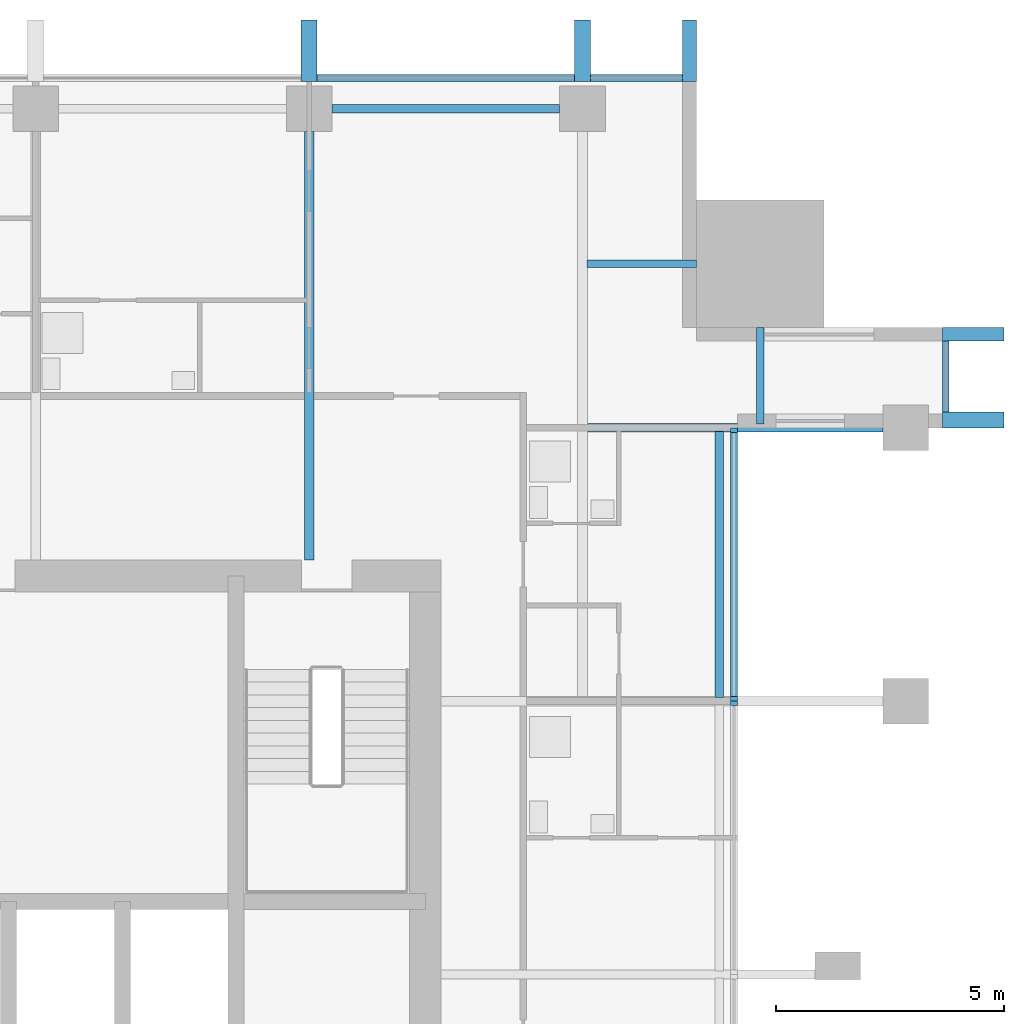
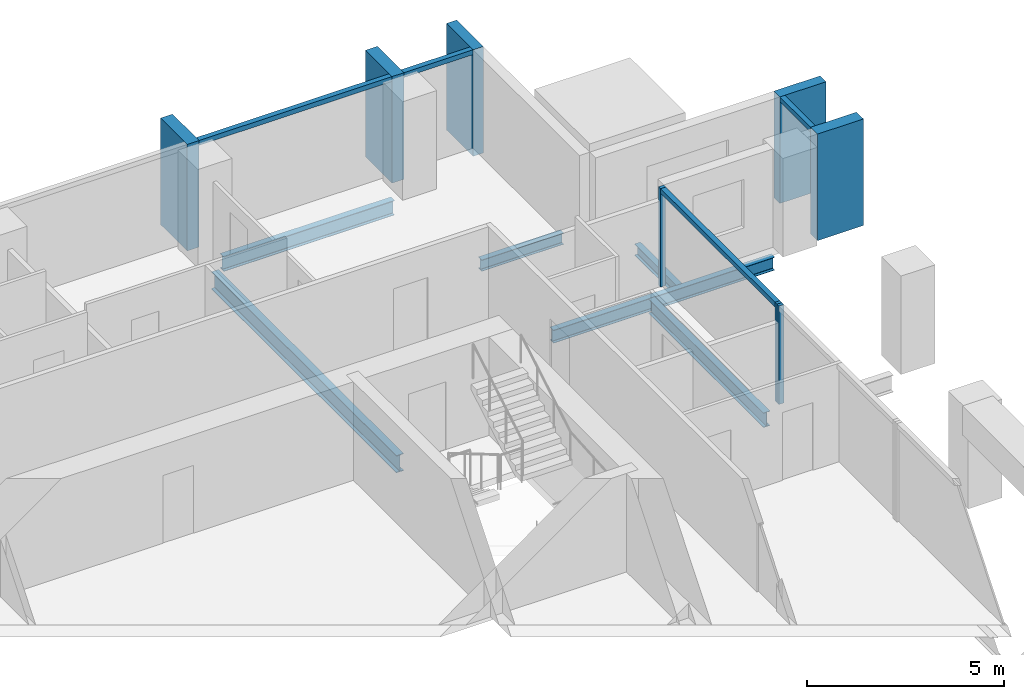
# One storey, part 6 of 14: 12 members, 6 beams, 4 elements without a shape of their own.
"""IFC4 building model written with IfcOpenShell, lengths in metres."""

from ifc_helpers import new_model, si_unit, direction, frame, origin, origin_2d, place, context, subcontext, project, spatial, rectangle, i_section, extrude, material, material_profile, profile_set, type_object, element, aggregate, save


model = new_model("IFC4")

# Units and contexts
model_context = context("Model", 3, precision=1e-05, world=origin(), true_north=direction((0.0, 1.0)))
body_context = subcontext(model_context, "Body", "Model", "MODEL_VIEW")
ifc_project = project(units=[si_unit("LENGTHUNIT", "METRE"), si_unit("AREAUNIT", "SQUARE_METRE"), si_unit("VOLUMEUNIT", "CUBIC_METRE"), si_unit("PLANEANGLEUNIT", "RADIAN"), si_unit("MASSUNIT", "GRAM", prefix="KILO")], contexts=[model_context])

# Site, building, storey
site_placement = place(None, origin())
site = spatial("IfcSite", under=ifc_project, at=site_placement, CompositionType="ELEMENT")
building_placement = place(site_placement, origin())
building = spatial("IfcBuilding", under=site, at=building_placement, Name="Amberfall Residences", CompositionType="ELEMENT")
storey_placement = place(building_placement, frame((0.0, 0.0, 168.10009765625)))
storey = spatial("IfcBuildingStorey", under=building, at=storey_placement, Name="L45", CompositionType="ELEMENT", Elevation=168.10009765625)

# Curtain wall, member
ifc_material_1 = material(Name="Bronze anodised aluminium and glass", Category="aluminium")
curtain_wall_type_1 = type_object("IfcCurtainWallType", Name="Curtain wall CW1 tower unit", PredefinedType="USERDEFINED", material=ifc_material_1)
curtain_wall_1_placement = place(storey_placement, origin())
curtain_wall_1 = element("IfcCurtainWall", 1, at=curtain_wall_1_placement, inside=storey, type_object=curtain_wall_type_1, Name="Curtain wall L45 E E9", ObjectType="UNITISED CURTAIN WALL", PredefinedType="USERDEFINED")
ifc_material_2 = material(Name="Bronze anodised aluminium", Category="aluminium")
ifc_material_profile_1 = material_profile(ifc_material_2, rectangle(XDim=0.14990234375, YDim=0.14990234375, at=origin_2d()), Name="CW1 transom 150 x 150 bronze")
ifc_profile_set_1 = profile_set([ifc_material_profile_1], Name="Bronze anodised aluminium")
member_type_1 = type_object("IfcMemberType", Name="CW1 transom 150 x 150 bronze", PredefinedType="USERDEFINED", material=ifc_profile_set_1)
member_1_placement = place(storey_placement, frame((97.574951171875, 60.75, 2.974853515625), z_axis=(0.0, 1.0, 0.0), x_axis=(-1.0, 0.0, 0.0)))
member_1 = element("IfcMember", 2, at=member_1_placement, type_object=member_type_1, Name="CW1 transom 1.1", ObjectType="TRANSOM", PredefinedType="USERDEFINED", context=body_context, shape_type="SweptSolid", body=[
    extrude(rectangle(XDim=0.14990234375, YDim=0.14990234375, at=origin_2d()), origin(), (0.0, 0.0, 1.0), 1.550048828125),
])

# Curtain wall, members
curtain_wall_2_placement = place(storey_placement, origin())
curtain_wall_2 = element("IfcCurtainWall", 3, at=curtain_wall_2_placement, inside=storey, type_object=curtain_wall_type_1, Name="Curtain wall L45 N N1", ObjectType="UNITISED CURTAIN WALL", PredefinedType="USERDEFINED")
member_2_placement = place(storey_placement, frame((91.800048828125, 68.074951171875, 2.974853515625), z_axis=(-1.0, 0.0, 0.0), x_axis=(0.0, -1.0, 0.0)))
member_2 = element("IfcMember", 4, at=member_2_placement, type_object=member_type_1, Name="CW1 transom 1.1", ObjectType="TRANSOM", PredefinedType="USERDEFINED", context=body_context, shape_type="SweptSolid", body=[
    extrude(rectangle(XDim=0.14990234375, YDim=0.14990234375, at=origin_2d()), origin(), (0.0, 0.0, 1.0), 2.025146484375),
])
member_3_placement = place(storey_placement, frame((89.425048828125, 68.074951171875, 2.974853515625), z_axis=(-1.0, 0.0, 0.0), x_axis=(0.0, -1.0, 0.0)))
member_3 = element("IfcMember", 5, at=member_3_placement, type_object=member_type_1, Name="CW1 transom 2.1", ObjectType="TRANSOM", PredefinedType="USERDEFINED", context=body_context, shape_type="SweptSolid", body=[
    extrude(rectangle(XDim=0.14990234375, YDim=0.14990234375, at=origin_2d()), origin(), (0.0, 0.0, 1.0), 5.650146484375),
])

# Curtain wall, member
curtain_wall_type_2 = type_object("IfcCurtainWallType", Name="Curtain wall CW3 sky garden glazing", PredefinedType="USERDEFINED", material=ifc_material_1)
curtain_wall_3_placement = place(storey_placement, origin())
curtain_wall_3 = element("IfcCurtainWall", 6, at=curtain_wall_3_placement, inside=storey, type_object=curtain_wall_type_2, Name="Curtain wall L45 E E6", ObjectType="UNITISED CURTAIN WALL", PredefinedType="USERDEFINED")
ifc_material_profile_2 = material_profile(ifc_material_2, rectangle(XDim=0.14990234375, YDim=0.10009765625, at=origin_2d()), Name="CW3 mullion 100 x 150 bronze")
ifc_profile_set_2 = profile_set([ifc_material_profile_2], Name="Bronze anodised aluminium")
member_type_2 = type_object("IfcMemberType", Name="CW3 mullion 100 x 150 bronze", PredefinedType="MULLION", material=ifc_profile_set_2)
member_4_placement = place(storey_placement, frame((92.925048828125, 54.35009765625, 0.0), z_axis=(0.0, 0.0, 1.0), x_axis=(-1.0, 0.0, 0.0)))
member_4 = element("IfcMember", 7, at=member_4_placement, type_object=member_type_2, Name="CW3 mullion 2", PredefinedType="MULLION", context=body_context, shape_type="SweptSolid", body=[
    extrude(rectangle(XDim=0.14990234375, YDim=0.10009765625, at=origin_2d()), origin(), (0.0, 0.0, 1.0), 3.0498046875),
])
aggregate(curtain_wall_3, [member_4])

# Curtain wall, members
curtain_wall_4_placement = place(storey_placement, origin())
curtain_wall_4 = element("IfcCurtainWall", 8, at=curtain_wall_4_placement, inside=storey, type_object=curtain_wall_type_2, Name="Curtain wall L45 E E7", ObjectType="UNITISED CURTAIN WALL", PredefinedType="USERDEFINED")
member_5_placement = place(storey_placement, frame((92.925048828125, 54.449951171875, 0.0), z_axis=(0.0, 0.0, 1.0), x_axis=(-1.0, 0.0, 0.0)))
member_5 = element("IfcMember", 9, at=member_5_placement, type_object=member_type_2, Name="CW3 mullion 1", PredefinedType="MULLION", context=body_context, shape_type="SweptSolid", body=[
    extrude(rectangle(XDim=0.14990234375, YDim=0.10009765625, at=origin_2d()), origin(), (0.0, 0.0, 1.0), 3.0498046875),
])
member_6_placement = place(storey_placement, frame((92.925048828125, 60.35009765625, 0.0), z_axis=(0.0, 0.0, 1.0), x_axis=(-1.0, 0.0, 0.0)))
member_6 = element("IfcMember", 10, at=member_6_placement, type_object=member_type_2, Name="CW3 mullion 2", PredefinedType="MULLION", context=body_context, shape_type="SweptSolid", body=[
    extrude(rectangle(XDim=0.14990234375, YDim=0.10009765625, at=origin_2d()), origin(), (0.0, 0.0, 1.0), 3.0498046875),
])
ifc_material_profile_3 = material_profile(ifc_material_2, rectangle(XDim=0.14990234375, YDim=0.14990234375, at=origin_2d()), Name="CW3 transom 150 x 150 bronze")
ifc_profile_set_3 = profile_set([ifc_material_profile_3], Name="Bronze anodised aluminium")
member_type_3 = type_object("IfcMemberType", Name="CW3 transom 150 x 150 bronze", PredefinedType="USERDEFINED", material=ifc_profile_set_3)
member_7_placement = place(storey_placement, frame((92.925048828125, 54.5, 2.974853515625), z_axis=(0.0, 1.0, 0.0), x_axis=(-1.0, 0.0, 0.0)))
member_7 = element("IfcMember", 11, at=member_7_placement, type_object=member_type_3, Name="CW3 transom 1.1", ObjectType="TRANSOM", PredefinedType="USERDEFINED", context=body_context, shape_type="SweptSolid", body=[
    extrude(rectangle(XDim=0.14990234375, YDim=0.14990234375, at=origin_2d()), origin(), (0.0, 0.0, 1.0), 5.800048828125),
])
aggregate(curtain_wall_4, [member_5, member_6, member_7])

# Member
ifc_material_profile_4 = material_profile(ifc_material_2, rectangle(XDim=1.35009765625, YDim=0.300048828125, at=origin_2d()), Name="Corner fin 300 x 1350 bronze")
ifc_profile_set_4 = profile_set([ifc_material_profile_4], Name="Bronze anodised aluminium")
member_type_4 = type_object("IfcMemberType", Name="Corner fin 300 x 1350 bronze", PredefinedType="MULLION", material=ifc_profile_set_4)
member_8_placement = place(storey_placement, frame((98.175048828125, 62.449951171875, -0.25), z_axis=(0.0, 0.0, 1.0), x_axis=(-1.0, 0.0, 0.0)))
member_8 = element("IfcMember", 12, at=member_8_placement, type_object=member_type_4, Name="CW FIN 2", PredefinedType="MULLION", context=body_context, shape_type="SweptSolid", body=[
    extrude(rectangle(XDim=1.35009765625, YDim=0.300048828125, at=origin_2d()), origin(), (0.0, 0.0, 1.0), 3.2998046875),
])

member_9_placement = place(storey_placement, frame((91.949951171875, 68.675048828125, -0.25), z_axis=(0.0, 0.0, 1.0), x_axis=(0.0, -1.0, 0.0)))
member_9 = element("IfcMember", 13, at=member_9_placement, type_object=member_type_4, Name="CW FIN 1", PredefinedType="MULLION", context=body_context, shape_type="SweptSolid", body=[
    extrude(rectangle(XDim=1.35009765625, YDim=0.300048828125, at=origin_2d()), origin(), (0.0, 0.0, 1.0), 3.2998046875),
])

# Beams
ifc_material_3 = material(Name="Steel S355", Category="steel")
ifc_material_profile_5 = material_profile(ifc_material_3, i_section(OverallWidth=0.18994140625, OverallDepth=0.453369140625, WebThickness=0.008544921875, FlangeThickness=0.0126953125, FilletRadius=0.01025390625, at=origin_2d()), Name="UB 457x191x67")
ifc_profile_set_5 = profile_set([ifc_material_profile_5], Name="Steel S355")
beam_type_1 = type_object("IfcBeamType", Name="Edge beam UB 457x191x67", PredefinedType="SPANDREL", material=ifc_profile_set_5)
beam_1_placement = place(storey_placement, frame((92.60009765625, 54.47998046875, -0.476806640625), z_axis=(0.0, 1.0, 0.0), x_axis=(-1.0, 0.0, 0.0)))
element("IfcBeam", 14, at=beam_1_placement, inside=storey, type_object=beam_type_1, Name="Edge beam B1 L45 16", PredefinedType="SPANDREL", context=body_context, shape_type="SweptSolid", body=[
    extrude(i_section(OverallWidth=0.18994140625, OverallDepth=0.453369140625, WebThickness=0.008544921875, FlangeThickness=0.0126953125, FilletRadius=0.01025390625, at=origin_2d()), origin(), (0.0, 0.0, 1.0), 5.840087890625),
])
beam_2_placement = place(storey_placement, frame((84.10009765625, 67.39990234375, -0.476806640625), z_axis=(1.0, 0.0, 0.0), x_axis=(0.0, 1.0, 0.0)))
element("IfcBeam", 15, at=beam_2_placement, inside=storey, type_object=beam_type_1, Name="Edge beam B1 L45 27", PredefinedType="SPANDREL", context=body_context, shape_type="SweptSolid", body=[
    extrude(i_section(OverallWidth=0.18994140625, OverallDepth=0.453369140625, WebThickness=0.008544921875, FlangeThickness=0.0126953125, FilletRadius=0.01025390625, at=origin_2d()), origin(), (0.0, 0.0, 1.0), 5.0),
])

# Member
ifc_material_profile_6 = material_profile(ifc_material_2, rectangle(XDim=1.35009765625, YDim=0.35009765625, at=origin_2d()), Name="Fin 350 x 1350 bronze")
ifc_profile_set_6 = profile_set([ifc_material_profile_6], Name="Bronze anodised aluminium")
member_type_5 = type_object("IfcMemberType", Name="Fin 350 x 1350 bronze", PredefinedType="MULLION", material=ifc_profile_set_6)
member_10_placement = place(storey_placement, frame((98.175048828125, 60.574951171875, -0.25), z_axis=(0.0, 0.0, 1.0), x_axis=(-1.0, 0.0, 0.0)))
member_10 = element("IfcMember", 16, at=member_10_placement, type_object=member_type_5, Name="CW FIN 1", PredefinedType="MULLION", context=body_context, shape_type="SweptSolid", body=[
    extrude(rectangle(XDim=1.35009765625, YDim=0.35009765625, at=origin_2d()), origin(), (0.0, 0.0, 1.0), 3.2998046875),
])

aggregate(curtain_wall_1, [member_10, member_8, member_1])

member_11_placement = place(storey_placement, frame((89.60009765625, 68.675048828125, -0.25), z_axis=(0.0, 0.0, 1.0), x_axis=(0.0, -1.0, 0.0)))
member_11 = element("IfcMember", 17, at=member_11_placement, type_object=member_type_5, Name="CW FIN 2", PredefinedType="MULLION", context=body_context, shape_type="SweptSolid", body=[
    extrude(rectangle(XDim=1.35009765625, YDim=0.35009765625, at=origin_2d()), origin(), (0.0, 0.0, 1.0), 3.2998046875),
])

member_12_placement = place(storey_placement, frame((83.60009765625, 68.675048828125, -0.25), z_axis=(0.0, 0.0, 1.0), x_axis=(0.0, -1.0, 0.0)))
member_12 = element("IfcMember", 18, at=member_12_placement, type_object=member_type_5, Name="CW FIN 3", PredefinedType="MULLION", context=body_context, shape_type="SweptSolid", body=[
    extrude(rectangle(XDim=1.35009765625, YDim=0.35009765625, at=origin_2d()), origin(), (0.0, 0.0, 1.0), 3.2998046875),
])

aggregate(curtain_wall_2, [member_9, member_11, member_12, member_2, member_3])

# Beams
ifc_material_profile_7 = material_profile(ifc_material_3, i_section(OverallWidth=0.177734375, OverallDepth=0.402587890625, WebThickness=0.0078125, FlangeThickness=0.010986328125, FilletRadius=0.01025390625, at=origin_2d()), Name="UB 406x178x54")
ifc_profile_set_7 = profile_set([ifc_material_profile_7], Name="Steel S355")
beam_type_2 = type_object("IfcBeamType", Name="Floor girder UB 406x178x54", PredefinedType="BEAM", material=ifc_profile_set_7)
beam_3_placement = place(storey_placement, frame((96.199951171875, 60.39990234375, -0.451416015625), z_axis=(-1.0, 0.0, 0.0), x_axis=(0.0, -1.0, 0.0)))
element("IfcBeam", 19, at=beam_3_placement, inside=storey, type_object=beam_type_2, Name="Floor girder B4 L45 22", PredefinedType="BEAM", context=body_context, shape_type="SweptSolid", body=[
    extrude(i_section(OverallWidth=0.177734375, OverallDepth=0.402587890625, WebThickness=0.0078125, FlangeThickness=0.010986328125, FilletRadius=0.01025390625, at=origin_2d()), origin(), (0.0, 0.0, 1.0), 6.47998046875),
])
ifc_material_profile_8 = material_profile(ifc_material_3, i_section(OverallWidth=0.209228515625, OverallDepth=0.533203125, WebThickness=0.010009765625, FlangeThickness=0.015625, FilletRadius=0.0126953125, at=origin_2d()), Name="UB 533x210x92")
ifc_profile_set_8 = profile_set([ifc_material_profile_8], Name="Steel S355")
beam_type_3 = type_object("IfcBeamType", Name="Floor girder UB 533x210x92", PredefinedType="BEAM", material=ifc_profile_set_8)
beam_4_placement = place(storey_placement, frame((83.60009765625, 66.89990234375, -0.5166015625), z_axis=(0.0, -1.0, 0.0), x_axis=(1.0, 0.0, 0.0)))
element("IfcBeam", 20, at=beam_4_placement, inside=storey, type_object=beam_type_3, Name="Floor girder B3 L45 32", PredefinedType="BEAM", context=body_context, shape_type="SweptSolid", body=[
    extrude(i_section(OverallWidth=0.209228515625, OverallDepth=0.533203125, WebThickness=0.010009765625, FlangeThickness=0.015625, FilletRadius=0.0126953125, at=origin_2d()), origin(), (0.0, 0.0, 1.0), 9.39990234375),
])
ifc_material_profile_9 = material_profile(ifc_material_3, i_section(OverallWidth=0.171142578125, OverallDepth=0.351318359375, WebThickness=0.007080078125, FlangeThickness=0.009765625, FilletRadius=0.01025390625, at=origin_2d()), Name="UB 356x171x45")
ifc_profile_set_9 = profile_set([ifc_material_profile_9], Name="Steel S355")
beam_type_4 = type_object("IfcBeamType", Name="Link beam UB 356x171x45", PredefinedType="BEAM", material=ifc_profile_set_9)
beam_5_placement = place(storey_placement, frame((92.10009765625, 64.0, -0.42578125), z_axis=(-1.0, 0.0, 0.0), x_axis=(0.0, -1.0, 0.0)))
element("IfcBeam", 21, at=beam_5_placement, inside=storey, type_object=beam_type_4, Name="Link beam B7 L45 49", PredefinedType="BEAM", context=body_context, shape_type="SweptSolid", body=[
    extrude(i_section(OverallWidth=0.171142578125, OverallDepth=0.351318359375, WebThickness=0.007080078125, FlangeThickness=0.009765625, FilletRadius=0.01025390625, at=origin_2d()), origin(), (0.0, 0.0, 1.0), 2.40478515625),
])
beam_6_placement = place(storey_placement, frame((93.5, 62.60009765625, -0.42578125), z_axis=(0.0, -1.0, 0.0), x_axis=(1.0, 0.0, 0.0)))
element("IfcBeam", 22, at=beam_6_placement, inside=storey, type_object=beam_type_4, Name="Link beam B7 L45 50", PredefinedType="BEAM", context=body_context, shape_type="SweptSolid", body=[
    extrude(i_section(OverallWidth=0.171142578125, OverallDepth=0.351318359375, WebThickness=0.007080078125, FlangeThickness=0.009765625, FilletRadius=0.01025390625, at=origin_2d()), origin(), (0.0, 0.0, 1.0), 2.12109375),
])

save(model, "model.ifc")
